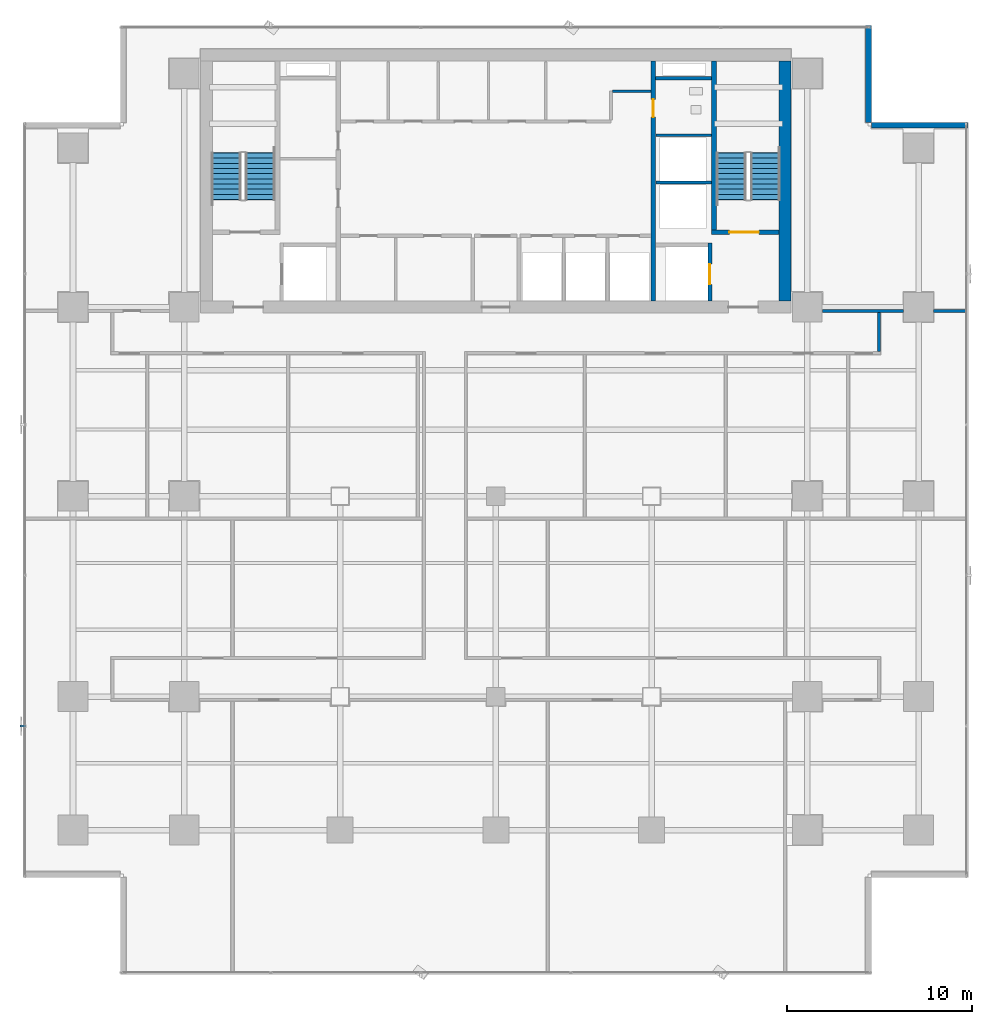
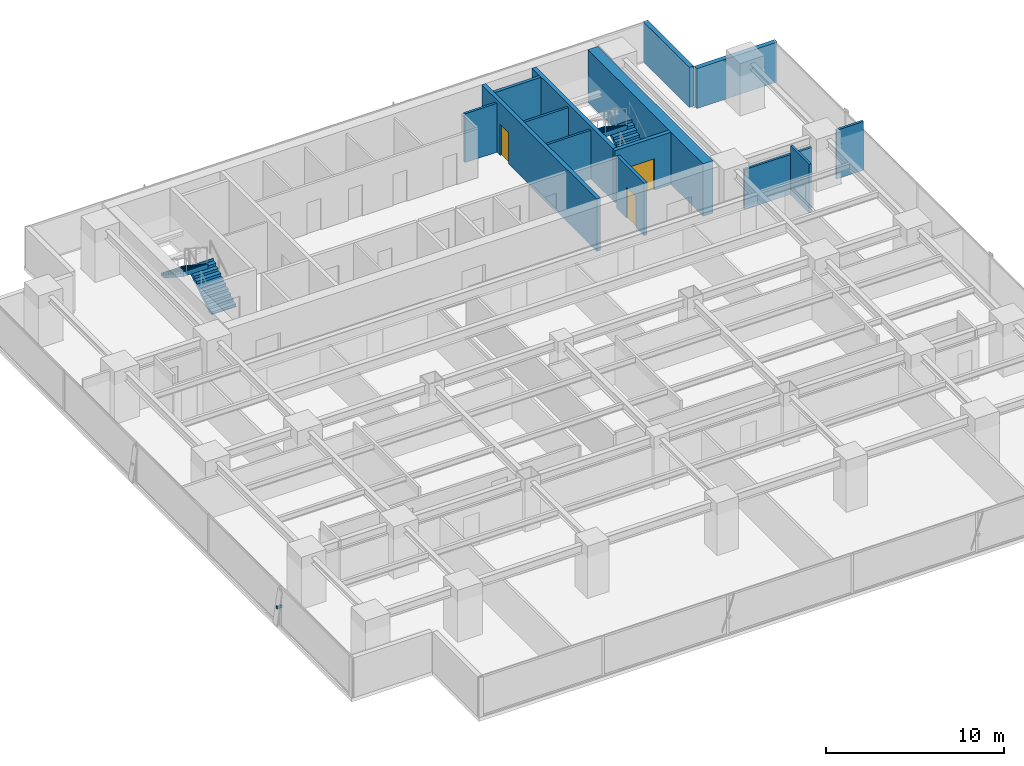
# One storey, part 30 of 37: 14 walls, 4 stair flights, 3 doors, 1 discrete accessory, 3 openings, 2 elements without a shape of their own.
"""IFC4 building model written with IfcOpenShell, lengths in metres."""

from ifc_helpers import new_model, si_unit, direction, frame, frame_2d, origin, origin_2d, place, context, subcontext, project, spatial, polyline, rectangle, outline, extrude, source, transform, mapped, material, layer, layer_set, material_profile, profile_set, type_object, element, fill, aggregate, save


model = new_model("IFC4")

# Units and contexts
model_context = context("Model", 3, precision=1e-05, world=origin(), true_north=direction((0.0, 1.0)))
body_context = subcontext(model_context, "Body", "Model", "MODEL_VIEW")
ifc_project = project(units=[si_unit("LENGTHUNIT", "METRE"), si_unit("AREAUNIT", "SQUARE_METRE"), si_unit("VOLUMEUNIT", "CUBIC_METRE"), si_unit("PLANEANGLEUNIT", "RADIAN"), si_unit("MASSUNIT", "GRAM", prefix="KILO")], contexts=[model_context])

# Site, building, storey
site_placement = place(None, origin())
site = spatial("IfcSite", under=ifc_project, at=site_placement, CompositionType="ELEMENT")
building_placement = place(site_placement, origin())
building = spatial("IfcBuilding", under=site, at=building_placement, Name="Sumidabori Civic Tower", CompositionType="ELEMENT")
storey_placement = place(building_placement, frame((0.0, 0.0, 95.60009765625)))
storey = spatial("IfcBuildingStorey", under=building, at=storey_placement, Name="L24", CompositionType="ELEMENT", Elevation=95.60009765625)

# Walls
ifc_material_1 = material(Name="Concrete C50/60", Category="concrete")
ifc_layer_1 = layer(ifc_material_1, 0.199951171875, Name="Concrete C50/60")
ifc_layer_set_1 = layer_set([ifc_layer_1], Name="Concrete C50/60")
wall_type_1 = type_object("IfcWallType", Name="WL-SHAFT-200", PredefinedType="SHEAR", material=ifc_layer_set_1)
shared_shape_1 = source(origin(), body_context, "Body", "SweptSolid", [
    extrude(rectangle(XDim=3.02001953125, YDim=0.199951171875, at=frame_2d((1.510009765625, 0.0))), origin(), (0.0, 0.0, 1.0), 3.599853515625),
])
wall_1_placement = place(storey_placement, frame((8.625, 22.550048828125, 0.0), z_axis=(0.0, 0.0, 1.0), x_axis=(1.0, 0.0, 0.0)))
element("IfcWall", 1, at=wall_1_placement, inside=storey, type_object=wall_type_1, Name="Core Shear Wall L24 RIS2-S", PredefinedType="SHEAR", context=body_context, shape_type="MappedRepresentation", body=[
    mapped(shared_shape_1, transform((0.0, 0.0, 0.0), x_axis=(1.0, 0.0, 0.0), y_axis=(0.0, 1.0, 0.0), z_axis=(0.0, 0.0, 1.0), scale=1.0)),
])
ifc_material_2 = material(Name="Concrete C60/75", Category="concrete")
ifc_layer_2 = layer(ifc_material_2, 0.64990234375, Name="Concrete C60/75")
ifc_layer_set_2 = layer_set([ifc_layer_2], Name="Concrete C60/75")
wall_type_2 = type_object("IfcWallType", Name="WL-CORE-650", PredefinedType="SHEAR", material=ifc_layer_set_2)
shared_shape_2 = source(origin(), body_context, "Body", "SweptSolid", [
    extrude(rectangle(XDim=12.9501953125, YDim=0.64990234375, at=frame_2d((6.47509765625, 0.0))), origin(), (0.0, 0.0, 1.0), 3.599853515625),
])
wall_2_placement = place(storey_placement, frame((15.60009765625, 10.52490234375, 0.0), z_axis=(0.0, 0.0, 1.0), x_axis=(0.0, 1.0, 0.0)))
element("IfcWall", 2, at=wall_2_placement, inside=storey, type_object=wall_type_2, Name="Core Shear Wall L24 E", PredefinedType="SHEAR", context=body_context, shape_type="MappedRepresentation", body=[
    mapped(shared_shape_2, transform((0.0, 0.0, 0.0), x_axis=(1.0, 0.0, 0.0), y_axis=(0.0, 1.0, 0.0), z_axis=(0.0, 0.0, 1.0), scale=1.0)),
])

# Wall, opening, door
ifc_layer_3 = layer(ifc_material_1, 0.25, Name="Concrete C50/60")
ifc_layer_set_3 = layer_set([ifc_layer_3], Name="Concrete C50/60")
wall_type_3 = type_object("IfcWallType", Name="WL-SHAFT-250", PredefinedType="SHEAR", material=ifc_layer_set_3)
shared_shape_3 = source(origin(), body_context, "Body", "SweptSolid", [
    extrude(rectangle(XDim=12.9501953125, YDim=0.25, at=frame_2d((6.47509765625, 0.0))), origin(), (0.0, 0.0, 1.0), 3.599853515625),
])
wall_3_placement = place(storey_placement, frame((8.5, 10.52490234375, 0.0), z_axis=(0.0, 0.0, 1.0), x_axis=(0.0, 1.0, 0.0)))
wall_3 = element("IfcWall", 3, at=wall_3_placement, inside=storey, type_object=wall_type_3, Name="Core Shear Wall L24 WEB-E", PredefinedType="SHEAR", context=body_context, shape_type="MappedRepresentation", body=[
    mapped(shared_shape_3, transform((0.0, 0.0, 0.0), x_axis=(1.0, 0.0, 0.0), y_axis=(0.0, 1.0, 0.0), z_axis=(0.0, 0.0, 1.0), scale=1.0)),
])
opening_1_placement = place(wall_3_placement, frame((9.925048828125, 0.0, 0.0)))
opening_1 = element("IfcOpeningElement", 4, at=opening_1_placement, cuts=wall_3, Name="Opening DR-2", PredefinedType="OPENING", context=body_context, shape_type="SweptSolid", body=[
    extrude(rectangle(XDim=0.949951171875, YDim=2.14990234375, at=frame_2d((0.47509765625, 1.074951171875))), frame((0.0, 0.136962890625, 0.0), z_axis=(0.0, -1.0, 0.0), x_axis=(1.0, 0.0, 0.0)), (0.0, 0.0, 1.0), 0.27392578125),
])
ifc_material_3 = material(Name="Japanese Hinoki Timber", Category="wood")
door_type_1 = type_object("IfcDoorType", Name="DR-INT-950", OperationType="NOTDEFINED", PredefinedType="DOOR", material=ifc_material_3)
shared_shape_4 = source(origin(), body_context, "Body", "SweptSolid", [
    extrude(rectangle(XDim=0.949951171875, YDim=2.14990234375, at=frame_2d((0.47509765625, 1.074951171875))), frame((0.0, 0.02490234375, 0.0), z_axis=(0.0, -1.0, 0.0), x_axis=(1.0, 0.0, 0.0)), (0.0, 0.0, 1.0), 0.050048828125),
])
door_1_placement = place(opening_1_placement, origin())
door_1 = element("IfcDoor", 5, at=door_1_placement, inside=storey, type_object=door_type_1, Name="Door DR:L24:WC-ACC", OperationType="SINGLE_SWING_RIGHT", OverallHeight=2.14990234375, OverallWidth=0.949951171875, PredefinedType="DOOR", context=body_context, shape_type="MappedRepresentation", body=[
    mapped(shared_shape_4, transform((0.0, 0.0, 0.0), x_axis=(1.0, 0.0, 0.0), y_axis=(0.0, 1.0, 0.0), z_axis=(0.0, 0.0, 1.0), scale=1.0)),
])
fill(opening_1, door_1)

shared_shape_5 = source(origin(), body_context, "Body", "SweptSolid", [
    extrude(rectangle(XDim=3.6298828125, YDim=0.25, at=frame_2d((1.81494140625, 0.0))), origin(), (0.0, 0.0, 1.0), 3.599853515625),
])
wall_4_placement = place(storey_placement, frame((11.64501953125, 14.25, 0.0), z_axis=(0.0, 0.0, 1.0), x_axis=(1.0, 0.0, 0.0)))
wall_4 = element("IfcWall", 6, at=wall_4_placement, inside=storey, type_object=wall_type_3, Name="Core Shear Wall L24 ST2-S", PredefinedType="SHEAR", context=body_context, shape_type="MappedRepresentation", body=[
    mapped(shared_shape_5, transform((0.0, 0.0, 0.0), x_axis=(1.0, 0.0, 0.0), y_axis=(0.0, 1.0, 0.0), z_axis=(0.0, 0.0, 1.0), scale=1.0)),
])
opening_2_placement = place(wall_4_placement, frame((0.949951171875, 0.0, 0.0)))
opening_2 = element("IfcOpeningElement", 7, at=opening_2_placement, cuts=wall_4, Name="Opening DR-FD4", PredefinedType="OPENING", context=body_context, shape_type="SweptSolid", body=[
    extrude(rectangle(XDim=1.60009765625, YDim=2.14990234375, at=frame_2d((0.800048828125, 1.074951171875))), frame((0.0, 0.136962890625, 0.0), z_axis=(0.0, -1.0, 0.0), x_axis=(1.0, 0.0, 0.0)), (0.0, 0.0, 1.0), 0.27392578125),
])
ifc_material_4 = material(Name="Steel SN490", Category="steel")
door_type_2 = type_object("IfcDoorType", Name="DR-FD4", OperationType="DOUBLE_DOOR_SINGLE_SWING", PredefinedType="DOOR", material=ifc_material_4)
shared_shape_6 = source(origin(), body_context, "Body", "SweptSolid", [
    extrude(rectangle(XDim=1.60009765625, YDim=2.14990234375, at=frame_2d((0.800048828125, 1.074951171875))), frame((0.0, 0.02490234375, 0.0), z_axis=(0.0, -1.0, 0.0), x_axis=(1.0, 0.0, 0.0)), (0.0, 0.0, 1.0), 0.050048828125),
])
door_2_placement = place(opening_2_placement, origin())
door_2 = element("IfcDoor", 8, at=door_2_placement, inside=storey, type_object=door_type_2, Name="Door DR:L24:ST2", OperationType="DOUBLE_DOOR_SINGLE_SWING", OverallHeight=2.14990234375, OverallWidth=1.60009765625, PredefinedType="DOOR", context=body_context, shape_type="MappedRepresentation", body=[
    mapped(shared_shape_6, transform((0.0, 0.0, 0.0), x_axis=(1.0, 0.0, 0.0), y_axis=(0.0, 1.0, 0.0), z_axis=(0.0, 0.0, 1.0), scale=1.0)),
])
fill(opening_2, door_2)

# Wall
shared_shape_7 = source(origin(), body_context, "Body", "SweptSolid", [
    extrude(rectangle(XDim=9.10009765625, YDim=0.25, at=frame_2d((4.550048828125, 0.0))), origin(), (0.0, 0.0, 1.0), 3.599853515625),
])
wall_5_placement = place(storey_placement, frame((11.77001953125, 14.375, 0.0), z_axis=(0.0, 0.0, 1.0), x_axis=(0.0, 1.0, 0.0)))
element("IfcWall", 9, at=wall_5_placement, inside=storey, type_object=wall_type_3, Name="Core Shear Wall L24 ST2-W", PredefinedType="SHEAR", context=body_context, shape_type="MappedRepresentation", body=[
    mapped(shared_shape_7, transform((0.0, 0.0, 0.0), x_axis=(1.0, 0.0, 0.0), y_axis=(0.0, 1.0, 0.0), z_axis=(0.0, 0.0, 1.0), scale=1.0)),
])

# Wall, opening, door
shared_shape_8 = source(origin(), body_context, "Body", "SweptSolid", [
    extrude(rectangle(XDim=3.125, YDim=0.199951171875, at=frame_2d((1.5625, 0.0))), origin(), (0.0, 0.0, 1.0), 3.599853515625),
])
wall_6_placement = place(storey_placement, frame((11.550048828125, 10.52490234375, 0.0), z_axis=(0.0, 0.0, 1.0), x_axis=(0.0, 1.0, 0.0)))
wall_6 = element("IfcWall", 10, at=wall_6_placement, inside=storey, type_object=wall_type_1, Name="Core Shear Wall L24 EL2-E", PredefinedType="SHEAR", context=body_context, shape_type="MappedRepresentation", body=[
    mapped(shared_shape_8, transform((0.0, 0.0, 0.0), x_axis=(1.0, 0.0, 0.0), y_axis=(0.0, 1.0, 0.0), z_axis=(0.0, 0.0, 1.0), scale=1.0)),
])
opening_3_placement = place(wall_6_placement, frame((0.89990234375, 0.0, 0.0)))
opening_3 = element("IfcOpeningElement", 11, at=opening_3_placement, cuts=wall_6, Name="Opening LD-2", PredefinedType="OPENING", context=body_context, shape_type="SweptSolid", body=[
    extrude(rectangle(XDim=1.10009765625, YDim=2.14990234375, at=frame_2d((0.550048828125, 1.074951171875))), frame((0.0, 0.11181640625, 0.0), z_axis=(0.0, -1.0, 0.0), x_axis=(1.0, 0.0, 0.0)), (0.0, 0.0, 1.0), 0.223876953125),
])
ifc_material_5 = material(Name="Stainless Steel Hairline Finish", Category="steel")
door_type_3 = type_object("IfcDoorType", Name="DR-LD2", OperationType="DOUBLE_DOOR_SLIDING", PredefinedType="DOOR", material=ifc_material_5)
shared_shape_9 = source(origin(), body_context, "Body", "SweptSolid", [
    extrude(rectangle(XDim=1.10009765625, YDim=2.14990234375, at=frame_2d((0.550048828125, 1.074951171875))), frame((0.0, 0.02490234375, 0.0), z_axis=(0.0, -1.0, 0.0), x_axis=(1.0, 0.0, 0.0)), (0.0, 0.0, 1.0), 0.050048828125),
])
door_3_placement = place(opening_3_placement, origin())
door_3 = element("IfcDoor", 12, at=door_3_placement, inside=storey, type_object=door_type_3, Name="Door DR:L24:LD-EL2", OperationType="DOUBLE_DOOR_SLIDING", OverallHeight=2.14990234375, OverallWidth=1.10009765625, PredefinedType="DOOR", context=body_context, shape_type="MappedRepresentation", body=[
    mapped(shared_shape_9, transform((0.0, 0.0, 0.0), x_axis=(1.0, 0.0, 0.0), y_axis=(0.0, 1.0, 0.0), z_axis=(0.0, 0.0, 1.0), scale=1.0)),
])
fill(opening_3, door_3)

# Walls
ifc_material_6 = material(Name="Precast concrete C40/50", Category="concrete")
ifc_layer_4 = layer(ifc_material_6, 0.300048828125, Name="Precast concrete C40/50")
ifc_layer_set_4 = layer_set([ifc_layer_4], Name="Precast concrete C40/50")
wall_type_4 = type_object("IfcWallType", Name="WL-EXT-POD300", PredefinedType="STANDARD", material=ifc_layer_set_4)
shared_shape_10 = source(origin(), body_context, "Body", "SweptSolid", [
    extrude(rectangle(XDim=5.2099609375, YDim=0.300048828125, at=frame_2d((2.60498046875, 0.0))), origin(), (0.0, 0.0, 1.0), 2.739990234375),
])
for number, where, z_axis, x_axis, name in (
    (13, (25.47998046875, 20.0, 0.0), (0.0, 0.0, 1.0), (-1.0, 0.0, 0.0), "Notched Corner Spandrel Band L24-05"),
    (14, (20.10009765625, 20.169921875, 0.0), (0.0, 0.0, 1.0), (0.0, 1.0, 0.0), "Notched Corner Spandrel Band L24-06"),
):
    element("IfcWall", number, at=place(storey_placement, frame(where, z_axis=z_axis, x_axis=x_axis)), inside=storey, type_object=wall_type_4, Name=name, PredefinedType="STANDARD", context=body_context, shape_type="MappedRepresentation", body=[
        mapped(shared_shape_10, transform((0.0, 0.0, 0.0), x_axis=(1.0, 0.0, 0.0), y_axis=(0.0, 1.0, 0.0), z_axis=(0.0, 0.0, 1.0), scale=1.0)),
    ])
ifc_material_7 = material(Name="Gypsum Plasterboard Acoustic Partition")
ifc_layer_5 = layer(ifc_material_7, 0.14990234375, Name="Gypsum Plasterboard Acoustic Partition")
ifc_layer_set_5 = layer_set([ifc_layer_5], Name="Gypsum Plasterboard Acoustic Partition")
wall_type_5 = type_object("IfcWallType", Name="WL-PART-150", PredefinedType="PARTITIONING", material=ifc_layer_set_5)
shared_shape_11 = source(origin(), body_context, "Body", "SweptSolid", [
    extrude(rectangle(XDim=3.010009765625, YDim=0.14990234375, at=frame_2d((1.5048828125, 0.0))), origin(), (0.0, 0.0, 1.0), 3.35986328125),
])
for number, where, z_axis, x_axis, name in (
    (15, (8.6298828125, 16.919921875, 0.0), (0.0, 0.0, 1.0), (1.0, 0.0, 0.0), "Interior Partition WL:L24:DIV-OBS1"),
    (16, (8.6298828125, 19.469970703125, 0.0), (0.0, 0.0, 1.0), (1.0, 0.0, 0.0), "Interior Partition WL:L24:DIV-OBS2"),
):
    element("IfcWall", number, at=place(storey_placement, frame(where, z_axis=z_axis, x_axis=x_axis)), inside=storey, type_object=wall_type_5, Name=name, PredefinedType="PARTITIONING", context=body_context, shape_type="MappedRepresentation", body=[
        mapped(shared_shape_11, transform((0.0, 0.0, 0.0), x_axis=(1.0, 0.0, 0.0), y_axis=(0.0, 1.0, 0.0), z_axis=(0.0, 0.0, 1.0), scale=1.0)),
    ])
shared_shape_12 = source(origin(), body_context, "Body", "SweptSolid", [
    extrude(rectangle(XDim=2.070068359375, YDim=0.14990234375, at=frame_2d((1.03515625, 0.0))), origin(), (0.0, 0.0, 1.0), 3.35986328125),
])
wall_7_placement = place(storey_placement, frame((6.300048828125, 21.85009765625, 0.0), z_axis=(0.0, 0.0, 1.0), x_axis=(1.0, 0.0, 0.0)))
element("IfcWall", 17, at=wall_7_placement, inside=storey, type_object=wall_type_5, Name="Interior Partition WL:L24:CBAND-ME2", PredefinedType="PARTITIONING", context=body_context, shape_type="MappedRepresentation", body=[
    mapped(shared_shape_12, transform((0.0, 0.0, 0.0), x_axis=(1.0, 0.0, 0.0), y_axis=(0.0, 1.0, 0.0), z_axis=(0.0, 0.0, 1.0), scale=1.0)),
])
shared_shape_13 = source(origin(), body_context, "Body", "SweptSolid", [
    extrude(rectangle(XDim=1.739990234375, YDim=0.14990234375, at=frame_2d((0.8701171875, 0.0))), origin(), (0.0, 0.0, 1.0), 3.35986328125),
])
wall_8_placement = place(storey_placement, frame((23.610107421875, 10.0, 0.0), z_axis=(0.0, 0.0, 1.0), x_axis=(1.0, 0.0, 0.0)))
element("IfcWall", 18, at=wall_8_placement, inside=storey, type_object=wall_type_5, Name="Interior Partition WL:L24:FLK-NE-2", PredefinedType="PARTITIONING", context=body_context, shape_type="MappedRepresentation", body=[
    mapped(shared_shape_13, transform((0.0, 0.0, 0.0), x_axis=(1.0, 0.0, 0.0), y_axis=(0.0, 1.0, 0.0), z_axis=(0.0, 0.0, 1.0), scale=1.0)),
])
shared_shape_14 = source(origin(), body_context, "Body", "SweptSolid", [
    extrude(rectangle(XDim=4.3798828125, YDim=0.14990234375, at=frame_2d((2.18994140625, 0.0))), origin(), (0.0, 0.0, 1.0), 2.744873046875),
])
wall_9_placement = place(storey_placement, frame((17.610107421875, 10.0, 0.0), z_axis=(0.0, 0.0, 1.0), x_axis=(1.0, 0.0, 0.0)))
element("IfcWall", 19, at=wall_9_placement, inside=storey, type_object=wall_type_5, Name="Interior Partition WL:L24:FLK-NE-1", PredefinedType="PARTITIONING", context=body_context, shape_type="MappedRepresentation", body=[
    mapped(shared_shape_14, transform((0.0, 0.0, 0.0), x_axis=(1.0, 0.0, 0.0), y_axis=(0.0, 1.0, 0.0), z_axis=(0.0, 0.0, 1.0), scale=1.0)),
])
shared_shape_15 = source(origin(), body_context, "Body", "SweptSolid", [
    extrude(rectangle(XDim=2.114990234375, YDim=0.14990234375, at=frame_2d((1.0576171875, 0.0))), origin(), (0.0, 0.0, 1.0), 3.35986328125),
])
wall_10_placement = place(storey_placement, frame((20.675048828125, 7.804931640625, 0.0), z_axis=(0.0, 0.0, 1.0), x_axis=(0.0, 1.0, 0.0)))
element("IfcWall", 20, at=wall_10_placement, inside=storey, type_object=wall_type_5, Name="Interior Partition WL:L24:CORR-VNE", PredefinedType="PARTITIONING", context=body_context, shape_type="MappedRepresentation", body=[
    mapped(shared_shape_15, transform((0.0, 0.0, 0.0), x_axis=(1.0, 0.0, 0.0), y_axis=(0.0, 1.0, 0.0), z_axis=(0.0, 0.0, 1.0), scale=1.0)),
])

# Stair, stair flights
ifc_material_8 = material(Name="Concrete C40/50", Category="concrete")
stair_type = type_object("IfcStairType", Name="ST-CORE-1600", PredefinedType="HALF_TURN_STAIR", material=ifc_material_8)
stair_1_placement = place(storey_placement, origin())
stair_1 = element("IfcStair", 21, at=stair_1_placement, inside=storey, type_object=stair_type, Name="L24 ST-1", PredefinedType="HALF_TURN_STAIR")
stair_flight_type = type_object("IfcStairFlightType", Name="SF-CORE-1600", PredefinedType="STRAIGHT", material=ifc_material_8)
shared_shape_16 = source(origin(), body_context, "Body", "SweptSolid", [
    extrude(outline(polyline([(-0.02490234375, 0.0), (-0.02490234375, 0.0400390625), (0.0, 0.0400390625), (0.0, 0.179931640625), (0.280029296875, 0.179931640625), (0.280029296875, 0.360107421875), (0.56005859375, 0.360107421875), (0.56005859375, 0.5400390625), (0.840087890625, 0.5400390625), (0.840087890625, 0.719970703125), (1.1201171875, 0.719970703125), (1.1201171875, 0.89990234375), (1.39990234375, 0.89990234375), (1.39990234375, 1.080078125), (1.679931640625, 1.080078125), (1.679931640625, 1.260009765625), (1.9599609375, 1.260009765625), (1.9599609375, 1.43994140625), (2.239990234375, 1.43994140625), (2.239990234375, 1.6201171875), (2.52001953125, 1.6201171875), (2.52001953125, 1.800048828125), (2.544921875, 1.800048828125), (2.544921875, 1.650146484375), (2.52001953125, 1.44189453125), (0.277099609375, 0.0), (-0.02490234375, 0.0)])), frame((0.0, 0.800048828125, 0.0), z_axis=(0.0, -1.0, 0.0), x_axis=(1.0, 0.0, 0.0)), (0.0, 0.0, 1.0), 1.60009765625),
])
stair_flight_1_placement = place(storey_placement, frame((-12.699951171875, 16.0, 0.0), z_axis=(0.0, 0.0, 1.0), x_axis=(0.0, 1.0, 0.0)))
stair_flight_1 = element("IfcStairFlight", 22, at=stair_flight_1_placement, type_object=stair_flight_type, Name="ST-1 flight 1", NumberOfRisers=10, NumberOfTreads=9, PredefinedType="STRAIGHT", RiserHeight=0.18, TreadLength=0.28, context=body_context, shape_type="MappedRepresentation", body=[
    mapped(shared_shape_16, transform((0.0, 0.0, 0.0), x_axis=(1.0, 0.0, 0.0), y_axis=(0.0, 1.0, 0.0), z_axis=(0.0, 0.0, 1.0), scale=1.0)),
])
stair_flight_2_placement = place(storey_placement, frame((-14.5400390625, 18.52001953125, 1.7998046875), z_axis=(0.0, 0.0, 1.0), x_axis=(0.0, -1.0, 0.0)))
stair_flight_2 = element("IfcStairFlight", 23, at=stair_flight_2_placement, type_object=stair_flight_type, Name="ST-1 flight 2", NumberOfRisers=10, NumberOfTreads=9, PredefinedType="STRAIGHT", RiserHeight=0.18, TreadLength=0.28, context=body_context, shape_type="MappedRepresentation", body=[
    mapped(shared_shape_16, transform((0.0, 0.0, 0.0), x_axis=(1.0, 0.0, 0.0), y_axis=(0.0, 1.0, 0.0), z_axis=(0.0, 0.0, 1.0), scale=1.0)),
])
aggregate(stair_1, [stair_flight_1, stair_flight_2])

stair_2_placement = place(storey_placement, origin())
stair_2 = element("IfcStair", 24, at=stair_2_placement, inside=storey, type_object=stair_type, Name="L24 ST-2", PredefinedType="HALF_TURN_STAIR")
stair_flight_3_placement = place(storey_placement, frame((14.5400390625, 16.0, 0.0), z_axis=(0.0, 0.0, 1.0), x_axis=(0.0, 1.0, 0.0)))
stair_flight_3 = element("IfcStairFlight", 25, at=stair_flight_3_placement, type_object=stair_flight_type, Name="ST-2 flight 1", NumberOfRisers=10, NumberOfTreads=9, PredefinedType="STRAIGHT", RiserHeight=0.18, TreadLength=0.28, context=body_context, shape_type="MappedRepresentation", body=[
    mapped(shared_shape_16, transform((0.0, 0.0, 0.0), x_axis=(1.0, 0.0, 0.0), y_axis=(0.0, 1.0, 0.0), z_axis=(0.0, 0.0, 1.0), scale=1.0)),
])
stair_flight_4_placement = place(storey_placement, frame((12.699951171875, 18.52001953125, 1.7998046875), z_axis=(0.0, 0.0, 1.0), x_axis=(0.0, -1.0, 0.0)))
stair_flight_4 = element("IfcStairFlight", 26, at=stair_flight_4_placement, type_object=stair_flight_type, Name="ST-2 flight 2", NumberOfRisers=10, NumberOfTreads=9, PredefinedType="STRAIGHT", RiserHeight=0.18, TreadLength=0.28, context=body_context, shape_type="MappedRepresentation", body=[
    mapped(shared_shape_16, transform((0.0, 0.0, 0.0), x_axis=(1.0, 0.0, 0.0), y_axis=(0.0, 1.0, 0.0), z_axis=(0.0, 0.0, 1.0), scale=1.0)),
])
aggregate(stair_2, [stair_flight_3, stair_flight_4])

# Discrete accessory
ifc_material_profile = material_profile(ifc_material_5, rectangle(XDim=0.1201171875, YDim=0.179931640625, at=origin_2d()), Name="STEEL BRACKET 180x120")
ifc_profile_set = profile_set([ifc_material_profile], Name="Stainless Steel Hairline Finish")
discrete_accessory_type = type_object("IfcDiscreteAccessoryType", Name="AC-BRK-180", PredefinedType="BRACKET", material=ifc_profile_set)
shared_shape_17 = source(origin(), body_context, "Body", "SweptSolid", [
    extrude(rectangle(XDim=0.1201171875, YDim=0.179931640625, at=origin_2d()), origin(), (0.0, 0.0, 1.0), 0.329833984375),
])
discrete_accessory_placement = place(storey_placement, frame((-25.330078125, -12.39208984375, 1.35986328125), z_axis=(-1.0, 0.0, 0.0), x_axis=(0.0, -1.0, 0.0)))
element("IfcDiscreteAccessory", 27, at=discrete_accessory_placement, inside=storey, type_object=discrete_accessory_type, Name="Bronze Fin Fixing Bracket L24-04", PredefinedType="BRACKET", context=body_context, shape_type="MappedRepresentation", body=[
    mapped(shared_shape_17, transform((0.0, 0.0, 0.0), x_axis=(1.0, 0.0, 0.0), y_axis=(0.0, 1.0, 0.0), z_axis=(0.0, 0.0, 1.0), scale=1.0)),
])

save(model, "model.ifc")
